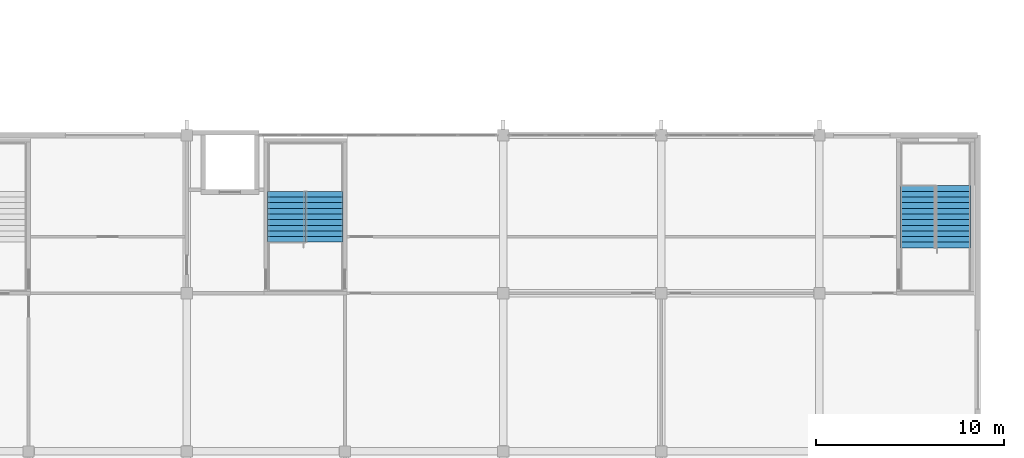
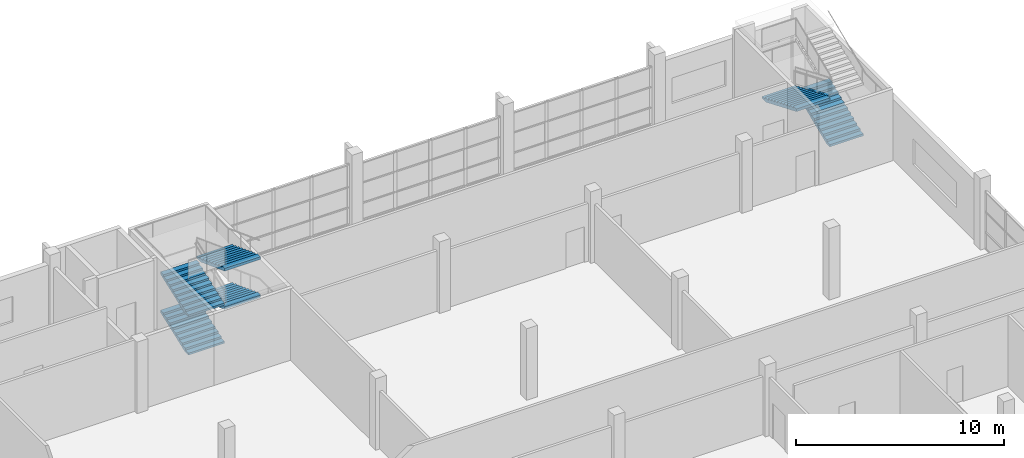
# One storey, part 41 of 56: 6 stair flights, 2 elements without a shape of their own.
"""IFC4 building model written with IfcOpenShell, lengths in metres."""

import ifcopenshell
import ifcopenshell.guid

model = None  # the IFC model being written
_history = None  # IfcOwnerHistory: only IFC2X3 demands one
_inside = {}  # id of a spatial element -> (the spatial element, [elements in it])
_under = {}  # id of a project, library or spatial element -> (it, [spatial elements below it])
_declared = {}  # id of a project -> (the project, [libraries it declares])
_typed = {}  # id of a type object -> (the type object, [elements of that type])
_made_of = {}  # id of a material, layer set ... -> (it, [elements and type objects made of it])


def new_model(schema):
    """Start an empty IFC model of exactly this schema.

    Asked for "IFC4X3", IfcOpenShell would pick the latest addendum, in which some entities
    have other attributes; the version numbers below select the first issue.
    IFC2X3 requires an IfcOwnerHistory on every rooted entity: one is made here for all.
    """
    global model, _history
    if schema == "IFC4X3":
        model = ifcopenshell.file(schema_version=(4, 3, 0, 0))
    else:
        model = ifcopenshell.file(schema=schema)
    _inside.clear()
    _under.clear()
    _declared.clear()
    _typed.clear()
    _made_of.clear()
    _history = None
    if model.schema == "IFC2X3":
        org = make("IfcOrganization", Name="unknown")
        user = make(
            "IfcPersonAndOrganization",
            ThePerson=make("IfcPerson", FamilyName="unknown"),
            TheOrganization=org,
        )
        app = make(
            "IfcApplication",
            ApplicationDeveloper=org,
            Version="unknown",
            ApplicationFullName="unknown",
            ApplicationIdentifier="unknown",
        )
        _history = make(
            "IfcOwnerHistory",
            OwningUser=user,
            OwningApplication=app,
            ChangeAction="ADDED",
            CreationDate=0,
        )
    return model


def make(cls, **values):
    """One entity of the class cls with the attributes given. An attribute that is None is left unset."""
    return model.create_entity(
        cls, **{name: value for name, value in values.items() if value is not None}
    )


def rooted(cls, **values):
    """An entity with a GlobalId (a new one), such as an element, a storey or a relation."""
    return make(cls, GlobalId=ifcopenshell.guid.new(), OwnerHistory=_history, **values)


def si_unit(unit_type, name, prefix=None):
    """IfcSIUnit, for example si_unit("LENGTHUNIT", "METRE", prefix="MILLI")."""
    return make("IfcSIUnit", UnitType=unit_type, Prefix=prefix, Name=name)


def assignment(units):
    """IfcUnitAssignment: the units of a project."""
    return None if units is None else make("IfcUnitAssignment", Units=units)


def point(xyz):
    """IfcCartesianPoint."""
    return None if xyz is None else make("IfcCartesianPoint", Coordinates=xyz)


def direction(xyz):
    """IfcDirection."""
    return None if xyz is None else make("IfcDirection", DirectionRatios=xyz)


def frame(location, z_axis=None, x_axis=None):
    """IfcAxis2Placement3D, a coordinate frame: its origin and axes. An axis left out is left unset."""
    return make(
        "IfcAxis2Placement3D",
        Location=point(location),
        Axis=direction(z_axis),
        RefDirection=direction(x_axis),
    )


def origin():
    """The frame at (0, 0, 0) with its axes left unset."""
    return frame((0.0, 0.0, 0.0))


def place(relative_to, where):
    """IfcLocalPlacement: puts the frame where relative to a parent placement (None: the world)."""
    return make(
        "IfcLocalPlacement", PlacementRelTo=relative_to, RelativePlacement=where
    )


def context(
    kind, dimensions, precision=None, world=None, true_north=None, identifier=None
):
    """IfcGeometricRepresentationContext, for example the 3D "Model" context."""
    return make(
        "IfcGeometricRepresentationContext",
        ContextIdentifier=identifier,
        ContextType=kind,
        CoordinateSpaceDimension=dimensions,
        Precision=precision,
        WorldCoordinateSystem=world,
        TrueNorth=true_north,
    )


def subcontext(parent, identifier, kind, view, scale=None):
    """IfcGeometricRepresentationSubContext, for example "Body" below "Model"."""
    return make(
        "IfcGeometricRepresentationSubContext",
        ContextIdentifier=identifier,
        ContextType=kind,
        ParentContext=parent,
        TargetScale=scale,
        TargetView=view,
    )


def project(units=None, contexts=None):
    """IfcProject with its units and contexts."""
    return rooted(
        "IfcProject",
        Name="project",
        RepresentationContexts=contexts,
        UnitsInContext=assignment(units),
    )


def spatial(cls, under=None, at=None, **own):
    """A site, building, storey or space (cls), placed at a placement, below another one or the project."""
    s = rooted(cls, ObjectPlacement=at, **own)
    if under is not None:
        _under.setdefault(under.id(), (under, []))[1].append(s)
    return s


def faces_of(points, faces, orient=None, outer=None):
    """IfcFace entities. A face is a list of loops; a loop is a list of indices into points, from 0.

    orient and outer hold one flag for each loop. By default every Orientation is true, the
    first loop of a face is its IfcFaceOuterBound and the others are IfcFaceBound.
    """
    made = []
    for i, loops in enumerate(faces):
        bounds = []
        for j, loop in enumerate(loops):
            is_outer = j == 0 if outer is None else outer[i][j]
            bounds.append(
                make(
                    "IfcFaceOuterBound" if is_outer else "IfcFaceBound",
                    Bound=make("IfcPolyLoop", Polygon=[points[k] for k in loop]),
                    Orientation=True if orient is None else orient[i][j],
                )
            )
        made.append(make("IfcFace", Bounds=bounds))
    return made


def faceted_brep(points, faces, orient=None, outer=None, voids=None):
    """IfcFacetedBrep: a solid bounded by flat faces; with voids (closed shells), ...WithVoids."""
    shared = [point(p) for p in points]
    hull = make("IfcClosedShell", CfsFaces=faces_of(shared, faces, orient, outer))
    if voids is None:
        return make("IfcFacetedBrep", Outer=hull)
    return make(
        "IfcFacetedBrepWithVoids",
        Outer=hull,
        Voids=[
            make(cls, CfsFaces=faces_of(shared, fs, o, b)) for cls, fs, o, b in voids
        ],
    )


def shape(context_of_items, identifier, shape_type, items):
    """IfcShapeRepresentation: the items that make up one representation, for example the "Body"."""
    return make(
        "IfcShapeRepresentation",
        ContextOfItems=context_of_items,
        RepresentationIdentifier=identifier,
        RepresentationType=shape_type,
        Items=items,
    )


def material(Name=None, Category=None):
    """IfcMaterial."""
    return make("IfcMaterial", Name=Name, Category=Category)


def made_of(thing, what):
    """Note that an element or type object is made of a material, layer set ...; save() writes the relation."""
    if what is not None:
        _made_of.setdefault(what.id(), (what, []))[1].append(thing)
    return thing


def type_object(cls, material=None, **own):
    """A type object (cls), such as IfcWallType, which elements share."""
    return made_of(rooted(cls, **own), material)


def element(
    cls,
    number,
    at=None,
    inside=None,
    cuts=None,
    type_object=None,
    material=None,
    context=None,
    identifier="Body",
    shape_type=None,
    held_by="IfcProductDefinitionShape",
    body=None,
    shapes=None,
    **own,
):
    """One element of the class cls, such as IfcWall. Its Tag is "e" and its number.

    at: its placement. inside: the storey or other place that contains it. cuts: it is an
    opening in that element (IfcRelVoidsElement). A single representation is given by context,
    identifier, shape_type and body (its items); several are given by shapes. held_by: the class
    of the entity that holds the representations. save() writes the other relations.
    """
    e = rooted(cls, Tag="e%d" % number, ObjectPlacement=at, **own)
    if body is not None:
        shapes = [shape(context, identifier, shape_type, body)]
    if shapes is not None:
        e.Representation = make(held_by, Representations=shapes)
    if inside is not None:
        _inside.setdefault(inside.id(), (inside, []))[1].append(e)
    if cuts is not None:
        rooted(
            "IfcRelVoidsElement", RelatingBuildingElement=cuts, RelatedOpeningElement=e
        )
    if type_object is not None:
        _typed.setdefault(type_object.id(), (type_object, []))[1].append(e)
    return made_of(e, material)


def aggregate(whole, parts):
    """IfcRelAggregates: a whole, such as a stair, and the parts it consists of."""
    return rooted("IfcRelAggregates", RelatingObject=whole, RelatedObjects=parts)


def save(model, path):
    """Write the relations noted so far, then the file.

    IfcRelAggregates (storeys below a building ...), IfcRelContainedInSpatialStructure (elements
    in a storey), IfcRelDefinesByType, IfcRelAssociatesMaterial and IfcRelDeclares: one each for
    every whole, place, type object, material and project.
    """
    for whole, parts in _under.values():
        aggregate(whole, parts)
    for where, things in _inside.values():
        rooted(
            "IfcRelContainedInSpatialStructure",
            RelatedElements=things,
            RelatingStructure=where,
        )
    for kind, things in _typed.values():
        rooted("IfcRelDefinesByType", RelatedObjects=things, RelatingType=kind)
    for what, things in _made_of.values():
        rooted("IfcRelAssociatesMaterial", RelatedObjects=things, RelatingMaterial=what)
    for by, libraries in _declared.values():
        rooted("IfcRelDeclares", RelatingContext=by, RelatedDefinitions=libraries)
    model.write(path)


model = new_model("IFC4")

# Units and contexts
model_context = context("Model", 3, precision=1e-05, world=origin(), true_north=direction((0.0, 1.0)))
body_context = subcontext(model_context, "Body", "Model", "MODEL_VIEW")
ifc_project = project(units=[si_unit("LENGTHUNIT", "METRE"), si_unit("AREAUNIT", "SQUARE_METRE"), si_unit("VOLUMEUNIT", "CUBIC_METRE"), si_unit("PLANEANGLEUNIT", "RADIAN"), si_unit("MASSUNIT", "GRAM", prefix="KILO")], contexts=[model_context])

# Site, building, storey
site_placement = place(None, origin())
site = spatial("IfcSite", under=ifc_project, at=site_placement, CompositionType="ELEMENT")
building_placement = place(site_placement, origin())
building = spatial("IfcBuilding", under=site, at=building_placement, Name="Rulbaag Community and Learning Centre", CompositionType="ELEMENT")
storey_placement = place(building_placement, frame((0.0, 0.0, 9.89990234375)))
storey = spatial("IfcBuildingStorey", under=building, at=storey_placement, Name="L02", CompositionType="ELEMENT", Elevation=9.89990234375)

# Stair, stair flights
ifc_material = material(Name="Concrete M40", Category="concrete")
stair_type_1 = type_object("IfcStairType", Name="ST-1862 STAIR 1862 WIDE", PredefinedType="HALF_TURN_STAIR", material=ifc_material)
stair_1_placement = place(storey_placement, origin())
stair_1 = element("IfcStair", 1, at=stair_1_placement, inside=storey, type_object=stair_type_1, Name="Stair ST-H4 L02", PredefinedType="HALF_TURN_STAIR")
stair_flight_type_1 = type_object("IfcStairFlightType", Name="FL-1862 FLIGHT 1862 WIDE Concrete M40", PredefinedType="STRAIGHT", material=ifc_material)
stair_flight_1_placement = place(storey_placement, frame((166.693603515625, 44.41259765625, 0.0), z_axis=(0.0, 0.0, 1.0), x_axis=(0.0, 1.0, 0.0)))
stair_flight_1 = element("IfcStairFlight", 2, at=stair_flight_1_placement, type_object=stair_flight_type_1, Name="ST-H4 flight 1", NumberOfRisers=12, NumberOfTreads=11, PredefinedType="STRAIGHT", RiserHeight=0.125, TreadLength=0.3, context=body_context, shape_type="Brep", body=[
    faceted_brep([(0.36376953125, -0.93115234375, 0.0), (3.300048828125, -0.93115234375, 1.223388671875), (3.300048828125, -0.93115234375, 1.375), (3.0, -0.93115234375, 1.375), (3.0, -0.93115234375, 1.25), (2.699951171875, -0.93115234375, 1.25), (2.699951171875, -0.93115234375, 1.125), (2.39990234375, -0.93115234375, 1.125), (2.39990234375, -0.93115234375, 1.0), (2.10009765625, -0.93115234375, 1.0), (2.10009765625, -0.93115234375, 0.875), (1.800048828125, -0.93115234375, 0.875), (1.800048828125, -0.93115234375, 0.75), (1.5, -0.93115234375, 0.75), (1.5, -0.93115234375, 0.625), (1.199951171875, -0.93115234375, 0.625), (1.199951171875, -0.93115234375, 0.5), (0.89990234375, -0.93115234375, 0.5), (0.89990234375, -0.93115234375, 0.375), (0.60009765625, -0.93115234375, 0.375), (0.60009765625, -0.93115234375, 0.25), (0.300048828125, -0.93115234375, 0.25), (0.300048828125, -0.93115234375, 0.125), (0.0, -0.93115234375, 0.125), (0.0, -0.93115234375, 0.0), (0.0, 0.93115234375, 0.0), (0.0, 0.93115234375, 0.125), (0.300048828125, 0.93115234375, 0.125), (0.300048828125, 0.93115234375, 0.25), (0.60009765625, 0.93115234375, 0.25), (0.60009765625, 0.93115234375, 0.375), (0.89990234375, 0.93115234375, 0.375), (0.89990234375, 0.93115234375, 0.5), (1.199951171875, 0.93115234375, 0.5), (1.199951171875, 0.93115234375, 0.625), (1.5, 0.93115234375, 0.625), (1.5, 0.93115234375, 0.75), (1.800048828125, 0.93115234375, 0.75), (1.800048828125, 0.93115234375, 0.875), (2.10009765625, 0.93115234375, 0.875), (2.10009765625, 0.93115234375, 1.0), (2.39990234375, 0.93115234375, 1.0), (2.39990234375, 0.93115234375, 1.125), (2.699951171875, 0.93115234375, 1.125), (2.699951171875, 0.93115234375, 1.25), (3.0, 0.93115234375, 1.25), (3.0, 0.93115234375, 1.375), (3.300048828125, 0.93115234375, 1.375), (3.300048828125, 0.93115234375, 1.223388671875), (0.36376953125, 0.93115234375, 0.0), (0.0, 0.0, 0.125), (0.0, 0.0, 0.0), (0.300048828125, 0.0, 0.125), (0.300048828125, 0.0, 0.25), (0.60009765625, 0.0, 0.25), (0.60009765625, 0.0, 0.375), (0.89990234375, 0.0, 0.375), (0.89990234375, 0.0, 0.5), (1.199951171875, 0.0, 0.5), (1.199951171875, 0.0, 0.625), (1.5, 0.0, 0.625), (1.5, 0.0, 0.75), (1.800048828125, 0.0, 0.75), (1.800048828125, 0.0, 0.875), (2.10009765625, 0.0, 0.875), (2.10009765625, 0.0, 1.0), (2.39990234375, 0.0, 1.0), (2.39990234375, 0.0, 1.125), (2.699951171875, 0.0, 1.125), (2.699951171875, 0.0, 1.25), (3.0, 0.0, 1.25), (3.0, 0.0, 1.375), (3.300048828125, 0.0, 1.375), (3.300048828125, 0.0, 1.223388671875), (0.36376953125, 0.0, 0.0)], [[[0, 1, 2, 3, 4, 5, 6, 7, 8, 9, 10, 11, 12, 13, 14, 15, 16, 17, 18, 19, 20, 21, 22, 23, 24]], [[25, 26, 27, 28, 29, 30, 31, 32, 33, 34, 35, 36, 37, 38, 39, 40, 41, 42, 43, 44, 45, 46, 47, 48, 49]], [[24, 23, 50, 51]], [[51, 50, 26, 25]], [[23, 22, 52, 50]], [[50, 52, 27, 26]], [[22, 21, 53, 52]], [[52, 53, 28, 27]], [[21, 20, 54, 53]], [[53, 54, 29, 28]], [[20, 19, 55, 54]], [[54, 55, 30, 29]], [[19, 18, 56, 55]], [[55, 56, 31, 30]], [[18, 17, 57, 56]], [[56, 57, 32, 31]], [[17, 16, 58, 57]], [[57, 58, 33, 32]], [[16, 15, 59, 58]], [[58, 59, 34, 33]], [[15, 14, 60, 59]], [[59, 60, 35, 34]], [[14, 13, 61, 60]], [[60, 61, 36, 35]], [[13, 12, 62, 61]], [[61, 62, 37, 36]], [[12, 11, 63, 62]], [[62, 63, 38, 37]], [[11, 10, 64, 63]], [[63, 64, 39, 38]], [[10, 9, 65, 64]], [[64, 65, 40, 39]], [[9, 8, 66, 65]], [[65, 66, 41, 40]], [[8, 7, 67, 66]], [[66, 67, 42, 41]], [[7, 6, 68, 67]], [[67, 68, 43, 42]], [[6, 5, 69, 68]], [[68, 69, 44, 43]], [[5, 4, 70, 69]], [[69, 70, 45, 44]], [[4, 3, 71, 70]], [[70, 71, 46, 45]], [[3, 2, 72, 71]], [[71, 72, 47, 46]], [[2, 1, 73, 72]], [[72, 73, 48, 47]], [[1, 0, 74, 73]], [[73, 74, 49, 48]], [[0, 24, 51, 74]], [[74, 51, 25, 49]]]),
])
stair_flight_2_placement = place(storey_placement, frame((164.831298828125, 47.71240234375, 1.5), z_axis=(0.0, 0.0, 1.0), x_axis=(0.0, -1.0, 0.0)))
stair_flight_2 = element("IfcStairFlight", 3, at=stair_flight_2_placement, type_object=stair_flight_type_1, Name="ST-H4 flight 2", NumberOfRisers=12, NumberOfTreads=11, PredefinedType="STRAIGHT", RiserHeight=0.125, TreadLength=0.3, context=body_context, shape_type="Brep", body=[
    faceted_brep([(0.36376953125, -0.93115234375, 0.0), (3.300048828125, -0.93115234375, 1.223388671875), (3.300048828125, -0.93115234375, 1.375), (3.0, -0.93115234375, 1.375), (3.0, -0.93115234375, 1.25), (2.699951171875, -0.93115234375, 1.25), (2.699951171875, -0.93115234375, 1.125), (2.39990234375, -0.93115234375, 1.125), (2.39990234375, -0.93115234375, 1.0), (2.10009765625, -0.93115234375, 1.0), (2.10009765625, -0.93115234375, 0.875), (1.800048828125, -0.93115234375, 0.875), (1.800048828125, -0.93115234375, 0.75), (1.5, -0.93115234375, 0.75), (1.5, -0.93115234375, 0.625), (1.199951171875, -0.93115234375, 0.625), (1.199951171875, -0.93115234375, 0.5), (0.89990234375, -0.93115234375, 0.5), (0.89990234375, -0.93115234375, 0.375), (0.60009765625, -0.93115234375, 0.375), (0.60009765625, -0.93115234375, 0.25), (0.300048828125, -0.93115234375, 0.25), (0.300048828125, -0.93115234375, 0.125), (0.0, -0.93115234375, 0.125), (0.0, -0.93115234375, 0.0), (0.0, 0.93115234375, 0.0), (0.0, 0.93115234375, 0.125), (0.300048828125, 0.93115234375, 0.125), (0.300048828125, 0.93115234375, 0.25), (0.60009765625, 0.93115234375, 0.25), (0.60009765625, 0.93115234375, 0.375), (0.89990234375, 0.93115234375, 0.375), (0.89990234375, 0.93115234375, 0.5), (1.199951171875, 0.93115234375, 0.5), (1.199951171875, 0.93115234375, 0.625), (1.5, 0.93115234375, 0.625), (1.5, 0.93115234375, 0.75), (1.800048828125, 0.93115234375, 0.75), (1.800048828125, 0.93115234375, 0.875), (2.10009765625, 0.93115234375, 0.875), (2.10009765625, 0.93115234375, 1.0), (2.39990234375, 0.93115234375, 1.0), (2.39990234375, 0.93115234375, 1.125), (2.699951171875, 0.93115234375, 1.125), (2.699951171875, 0.93115234375, 1.25), (3.0, 0.93115234375, 1.25), (3.0, 0.93115234375, 1.375), (3.300048828125, 0.93115234375, 1.375), (3.300048828125, 0.93115234375, 1.223388671875), (0.36376953125, 0.93115234375, 0.0), (0.0, 0.0, 0.125), (0.0, 0.0, 0.0), (0.300048828125, 0.0, 0.125), (0.300048828125, 0.0, 0.25), (0.60009765625, 0.0, 0.25), (0.60009765625, 0.0, 0.375), (0.89990234375, 0.0, 0.375), (0.89990234375, 0.0, 0.5), (1.199951171875, 0.0, 0.5), (1.199951171875, 0.0, 0.625), (1.5, 0.0, 0.625), (1.5, 0.0, 0.75), (1.800048828125, 0.0, 0.75), (1.800048828125, 0.0, 0.875), (2.10009765625, 0.0, 0.875), (2.10009765625, 0.0, 1.0), (2.39990234375, 0.0, 1.0), (2.39990234375, 0.0, 1.125), (2.699951171875, 0.0, 1.125), (2.699951171875, 0.0, 1.25), (3.0, 0.0, 1.25), (3.0, 0.0, 1.375), (3.300048828125, 0.0, 1.375), (3.300048828125, 0.0, 1.223388671875), (0.36376953125, 0.0, 0.0)], [[[0, 1, 2, 3, 4, 5, 6, 7, 8, 9, 10, 11, 12, 13, 14, 15, 16, 17, 18, 19, 20, 21, 22, 23, 24]], [[25, 26, 27, 28, 29, 30, 31, 32, 33, 34, 35, 36, 37, 38, 39, 40, 41, 42, 43, 44, 45, 46, 47, 48, 49]], [[24, 23, 50, 51]], [[51, 50, 26, 25]], [[23, 22, 52, 50]], [[50, 52, 27, 26]], [[22, 21, 53, 52]], [[52, 53, 28, 27]], [[21, 20, 54, 53]], [[53, 54, 29, 28]], [[20, 19, 55, 54]], [[54, 55, 30, 29]], [[19, 18, 56, 55]], [[55, 56, 31, 30]], [[18, 17, 57, 56]], [[56, 57, 32, 31]], [[17, 16, 58, 57]], [[57, 58, 33, 32]], [[16, 15, 59, 58]], [[58, 59, 34, 33]], [[15, 14, 60, 59]], [[59, 60, 35, 34]], [[14, 13, 61, 60]], [[60, 61, 36, 35]], [[13, 12, 62, 61]], [[61, 62, 37, 36]], [[12, 11, 63, 62]], [[62, 63, 38, 37]], [[11, 10, 64, 63]], [[63, 64, 39, 38]], [[10, 9, 65, 64]], [[64, 65, 40, 39]], [[9, 8, 66, 65]], [[65, 66, 41, 40]], [[8, 7, 67, 66]], [[66, 67, 42, 41]], [[7, 6, 68, 67]], [[67, 68, 43, 42]], [[6, 5, 69, 68]], [[68, 69, 44, 43]], [[5, 4, 70, 69]], [[69, 70, 45, 44]], [[4, 3, 71, 70]], [[70, 71, 46, 45]], [[3, 2, 72, 71]], [[71, 72, 47, 46]], [[2, 1, 73, 72]], [[72, 73, 48, 47]], [[1, 0, 74, 73]], [[73, 74, 49, 48]], [[0, 24, 51, 74]], [[74, 51, 25, 49]]]),
])
aggregate(stair_1, [stair_flight_1, stair_flight_2])

stair_type_2 = type_object("IfcStairType", Name="ST-2000 STAIR 2000 WIDE", PredefinedType="HALF_TURN_STAIR", material=ifc_material)
stair_2_placement = place(storey_placement, origin())
stair_2 = element("IfcStair", 4, at=stair_2_placement, inside=storey, type_object=stair_type_2, Name="Stair ST-H3 L02", PredefinedType="HALF_TURN_STAIR")
stair_flight_type_2 = type_object("IfcStairFlightType", Name="FL-2000 FLIGHT 2000 WIDE Concrete M40", PredefinedType="STRAIGHT", material=ifc_material)
stair_flight_3_placement = place(storey_placement, frame((131.300048828125, 44.71240234375, 0.0), z_axis=(0.0, 0.0, 1.0), x_axis=(0.0, 1.0, 0.0)))
stair_flight_3 = element("IfcStairFlight", 5, at=stair_flight_3_placement, type_object=stair_flight_type_2, Name="ST-H3 flight 1", NumberOfRisers=10, NumberOfTreads=9, PredefinedType="STRAIGHT", RiserHeight=0.1125, TreadLength=0.3, context=body_context, shape_type="Brep", body=[
    faceted_brep([(0.3984375, -1.0, 0.0), (2.699951171875, -1.0, 0.863037109375), (2.699951171875, -1.0, 1.012451171875), (2.39990234375, -1.0, 1.012451171875), (2.39990234375, -1.0, 0.89990234375), (2.10009765625, -1.0, 0.89990234375), (2.10009765625, -1.0, 0.78759765625), (1.800048828125, -1.0, 0.78759765625), (1.800048828125, -1.0, 0.675048828125), (1.5, -1.0, 0.675048828125), (1.5, -1.0, 0.5625), (1.199951171875, -1.0, 0.5625), (1.199951171875, -1.0, 0.449951171875), (0.89990234375, -1.0, 0.449951171875), (0.89990234375, -1.0, 0.33740234375), (0.60009765625, -1.0, 0.33740234375), (0.60009765625, -1.0, 0.22509765625), (0.300048828125, -1.0, 0.22509765625), (0.300048828125, -1.0, 0.112548828125), (0.0, -1.0, 0.112548828125), (0.0, -1.0, 0.0), (0.0, 1.0, 0.0), (0.0, 1.0, 0.112548828125), (0.300048828125, 1.0, 0.112548828125), (0.300048828125, 1.0, 0.22509765625), (0.60009765625, 1.0, 0.22509765625), (0.60009765625, 1.0, 0.33740234375), (0.89990234375, 1.0, 0.33740234375), (0.89990234375, 1.0, 0.449951171875), (1.199951171875, 1.0, 0.449951171875), (1.199951171875, 1.0, 0.5625), (1.5, 1.0, 0.5625), (1.5, 1.0, 0.675048828125), (1.800048828125, 1.0, 0.675048828125), (1.800048828125, 1.0, 0.78759765625), (2.10009765625, 1.0, 0.78759765625), (2.10009765625, 1.0, 0.89990234375), (2.39990234375, 1.0, 0.89990234375), (2.39990234375, 1.0, 1.012451171875), (2.699951171875, 1.0, 1.012451171875), (2.699951171875, 1.0, 0.863037109375), (0.3984375, 1.0, 0.0), (0.0, -0.333251953125, 0.112548828125), (0.0, -0.333251953125, 0.0), (0.0, 0.333251953125, 0.112548828125), (0.0, 0.333251953125, 0.0), (0.300048828125, -0.333251953125, 0.112548828125), (0.300048828125, 0.333251953125, 0.112548828125), (0.300048828125, -0.333251953125, 0.22509765625), (0.300048828125, 0.333251953125, 0.22509765625), (0.60009765625, -0.333251953125, 0.22509765625), (0.60009765625, 0.333251953125, 0.22509765625), (0.60009765625, -0.333251953125, 0.33740234375), (0.60009765625, 0.333251953125, 0.33740234375), (0.89990234375, -0.333251953125, 0.33740234375), (0.89990234375, 0.333251953125, 0.33740234375), (0.89990234375, -0.333251953125, 0.449951171875), (0.89990234375, 0.333251953125, 0.449951171875), (1.199951171875, -0.333251953125, 0.449951171875), (1.199951171875, 0.333251953125, 0.449951171875), (1.199951171875, -0.333251953125, 0.5625), (1.199951171875, 0.333251953125, 0.5625), (1.5, -0.333251953125, 0.5625), (1.5, 0.333251953125, 0.5625), (1.5, -0.333251953125, 0.675048828125), (1.5, 0.333251953125, 0.675048828125), (1.800048828125, -0.333251953125, 0.675048828125), (1.800048828125, 0.333251953125, 0.675048828125), (1.800048828125, -0.333251953125, 0.78759765625), (1.800048828125, 0.333251953125, 0.78759765625), (2.10009765625, -0.333251953125, 0.78759765625), (2.10009765625, 0.333251953125, 0.78759765625), (2.10009765625, -0.333251953125, 0.89990234375), (2.10009765625, 0.333251953125, 0.89990234375), (2.39990234375, -0.333251953125, 0.89990234375), (2.39990234375, 0.333251953125, 0.89990234375), (2.39990234375, -0.333251953125, 1.012451171875), (2.39990234375, 0.333251953125, 1.012451171875), (2.699951171875, -0.333251953125, 1.012451171875), (2.699951171875, 0.333251953125, 1.012451171875), (2.699951171875, -0.333251953125, 0.863037109375), (2.699951171875, 0.333251953125, 0.863037109375), (0.3984375, -0.333251953125, 0.0), (0.3984375, 0.333251953125, 0.0)], [[[0, 1, 2, 3, 4, 5, 6, 7, 8, 9, 10, 11, 12, 13, 14, 15, 16, 17, 18, 19, 20]], [[21, 22, 23, 24, 25, 26, 27, 28, 29, 30, 31, 32, 33, 34, 35, 36, 37, 38, 39, 40, 41]], [[20, 19, 42, 43]], [[43, 42, 44, 45]], [[45, 44, 22, 21]], [[19, 18, 46, 42]], [[42, 46, 47, 44]], [[44, 47, 23, 22]], [[18, 17, 48, 46]], [[46, 48, 49, 47]], [[47, 49, 24, 23]], [[17, 16, 50, 48]], [[48, 50, 51, 49]], [[49, 51, 25, 24]], [[16, 15, 52, 50]], [[50, 52, 53, 51]], [[51, 53, 26, 25]], [[15, 14, 54, 52]], [[52, 54, 55, 53]], [[53, 55, 27, 26]], [[14, 13, 56, 54]], [[54, 56, 57, 55]], [[55, 57, 28, 27]], [[13, 12, 58, 56]], [[56, 58, 59, 57]], [[57, 59, 29, 28]], [[12, 11, 60, 58]], [[58, 60, 61, 59]], [[59, 61, 30, 29]], [[11, 10, 62, 60]], [[60, 62, 63, 61]], [[61, 63, 31, 30]], [[10, 9, 64, 62]], [[62, 64, 65, 63]], [[63, 65, 32, 31]], [[9, 8, 66, 64]], [[64, 66, 67, 65]], [[65, 67, 33, 32]], [[8, 7, 68, 66]], [[66, 68, 69, 67]], [[67, 69, 34, 33]], [[7, 6, 70, 68]], [[68, 70, 71, 69]], [[69, 71, 35, 34]], [[6, 5, 72, 70]], [[70, 72, 73, 71]], [[71, 73, 36, 35]], [[5, 4, 74, 72]], [[72, 74, 75, 73]], [[73, 75, 37, 36]], [[4, 3, 76, 74]], [[74, 76, 77, 75]], [[75, 77, 38, 37]], [[3, 2, 78, 76]], [[76, 78, 79, 77]], [[77, 79, 39, 38]], [[2, 1, 80, 78]], [[78, 80, 81, 79]], [[79, 81, 40, 39]], [[1, 0, 82, 80]], [[80, 82, 83, 81]], [[81, 83, 41, 40]], [[0, 20, 43, 82]], [[82, 43, 45, 83]], [[83, 45, 21, 41]]]),
])
stair_flight_4_placement = place(storey_placement, frame((133.300048828125, 47.41259765625, 1.125), z_axis=(0.0, 0.0, 1.0), x_axis=(0.0, -1.0, 0.0)))
stair_flight_4 = element("IfcStairFlight", 6, at=stair_flight_4_placement, type_object=stair_flight_type_2, Name="ST-H3 flight 2", NumberOfRisers=10, NumberOfTreads=9, PredefinedType="STRAIGHT", RiserHeight=0.1125, TreadLength=0.3, context=body_context, shape_type="Brep", body=[
    faceted_brep([(0.3984375, -1.0, 0.0), (2.699951171875, -1.0, 0.863037109375), (2.699951171875, -1.0, 1.012451171875), (2.39990234375, -1.0, 1.012451171875), (2.39990234375, -1.0, 0.89990234375), (2.10009765625, -1.0, 0.89990234375), (2.10009765625, -1.0, 0.78759765625), (1.800048828125, -1.0, 0.78759765625), (1.800048828125, -1.0, 0.675048828125), (1.5, -1.0, 0.675048828125), (1.5, -1.0, 0.5625), (1.199951171875, -1.0, 0.5625), (1.199951171875, -1.0, 0.449951171875), (0.89990234375, -1.0, 0.449951171875), (0.89990234375, -1.0, 0.33740234375), (0.60009765625, -1.0, 0.33740234375), (0.60009765625, -1.0, 0.22509765625), (0.300048828125, -1.0, 0.22509765625), (0.300048828125, -1.0, 0.112548828125), (0.0, -1.0, 0.112548828125), (0.0, -1.0, 0.0), (0.0, 1.0, 0.0), (0.0, 1.0, 0.112548828125), (0.300048828125, 1.0, 0.112548828125), (0.300048828125, 1.0, 0.22509765625), (0.60009765625, 1.0, 0.22509765625), (0.60009765625, 1.0, 0.33740234375), (0.89990234375, 1.0, 0.33740234375), (0.89990234375, 1.0, 0.449951171875), (1.199951171875, 1.0, 0.449951171875), (1.199951171875, 1.0, 0.5625), (1.5, 1.0, 0.5625), (1.5, 1.0, 0.675048828125), (1.800048828125, 1.0, 0.675048828125), (1.800048828125, 1.0, 0.78759765625), (2.10009765625, 1.0, 0.78759765625), (2.10009765625, 1.0, 0.89990234375), (2.39990234375, 1.0, 0.89990234375), (2.39990234375, 1.0, 1.012451171875), (2.699951171875, 1.0, 1.012451171875), (2.699951171875, 1.0, 0.863037109375), (0.3984375, 1.0, 0.0), (0.0, -0.333251953125, 0.112548828125), (0.0, -0.333251953125, 0.0), (0.0, 0.333251953125, 0.112548828125), (0.0, 0.333251953125, 0.0), (0.300048828125, -0.333251953125, 0.112548828125), (0.300048828125, 0.333251953125, 0.112548828125), (0.300048828125, -0.333251953125, 0.22509765625), (0.300048828125, 0.333251953125, 0.22509765625), (0.60009765625, -0.333251953125, 0.22509765625), (0.60009765625, 0.333251953125, 0.22509765625), (0.60009765625, -0.333251953125, 0.33740234375), (0.60009765625, 0.333251953125, 0.33740234375), (0.89990234375, -0.333251953125, 0.33740234375), (0.89990234375, 0.333251953125, 0.33740234375), (0.89990234375, -0.333251953125, 0.449951171875), (0.89990234375, 0.333251953125, 0.449951171875), (1.199951171875, -0.333251953125, 0.449951171875), (1.199951171875, 0.333251953125, 0.449951171875), (1.199951171875, -0.333251953125, 0.5625), (1.199951171875, 0.333251953125, 0.5625), (1.5, -0.333251953125, 0.5625), (1.5, 0.333251953125, 0.5625), (1.5, -0.333251953125, 0.675048828125), (1.5, 0.333251953125, 0.675048828125), (1.800048828125, -0.333251953125, 0.675048828125), (1.800048828125, 0.333251953125, 0.675048828125), (1.800048828125, -0.333251953125, 0.78759765625), (1.800048828125, 0.333251953125, 0.78759765625), (2.10009765625, -0.333251953125, 0.78759765625), (2.10009765625, 0.333251953125, 0.78759765625), (2.10009765625, -0.333251953125, 0.89990234375), (2.10009765625, 0.333251953125, 0.89990234375), (2.39990234375, -0.333251953125, 0.89990234375), (2.39990234375, 0.333251953125, 0.89990234375), (2.39990234375, -0.333251953125, 1.012451171875), (2.39990234375, 0.333251953125, 1.012451171875), (2.699951171875, -0.333251953125, 1.012451171875), (2.699951171875, 0.333251953125, 1.012451171875), (2.699951171875, -0.333251953125, 0.863037109375), (2.699951171875, 0.333251953125, 0.863037109375), (0.3984375, -0.333251953125, 0.0), (0.3984375, 0.333251953125, 0.0)], [[[0, 1, 2, 3, 4, 5, 6, 7, 8, 9, 10, 11, 12, 13, 14, 15, 16, 17, 18, 19, 20]], [[21, 22, 23, 24, 25, 26, 27, 28, 29, 30, 31, 32, 33, 34, 35, 36, 37, 38, 39, 40, 41]], [[20, 19, 42, 43]], [[43, 42, 44, 45]], [[45, 44, 22, 21]], [[19, 18, 46, 42]], [[42, 46, 47, 44]], [[44, 47, 23, 22]], [[18, 17, 48, 46]], [[46, 48, 49, 47]], [[47, 49, 24, 23]], [[17, 16, 50, 48]], [[48, 50, 51, 49]], [[49, 51, 25, 24]], [[16, 15, 52, 50]], [[50, 52, 53, 51]], [[51, 53, 26, 25]], [[15, 14, 54, 52]], [[52, 54, 55, 53]], [[53, 55, 27, 26]], [[14, 13, 56, 54]], [[54, 56, 57, 55]], [[55, 57, 28, 27]], [[13, 12, 58, 56]], [[56, 58, 59, 57]], [[57, 59, 29, 28]], [[12, 11, 60, 58]], [[58, 60, 61, 59]], [[59, 61, 30, 29]], [[11, 10, 62, 60]], [[60, 62, 63, 61]], [[61, 63, 31, 30]], [[10, 9, 64, 62]], [[62, 64, 65, 63]], [[63, 65, 32, 31]], [[9, 8, 66, 64]], [[64, 66, 67, 65]], [[65, 67, 33, 32]], [[8, 7, 68, 66]], [[66, 68, 69, 67]], [[67, 69, 34, 33]], [[7, 6, 70, 68]], [[68, 70, 71, 69]], [[69, 71, 35, 34]], [[6, 5, 72, 70]], [[70, 72, 73, 71]], [[71, 73, 36, 35]], [[5, 4, 74, 72]], [[72, 74, 75, 73]], [[73, 75, 37, 36]], [[4, 3, 76, 74]], [[74, 76, 77, 75]], [[75, 77, 38, 37]], [[3, 2, 78, 76]], [[76, 78, 79, 77]], [[77, 79, 39, 38]], [[2, 1, 80, 78]], [[78, 80, 81, 79]], [[79, 81, 40, 39]], [[1, 0, 82, 80]], [[80, 82, 83, 81]], [[81, 83, 41, 40]], [[0, 20, 43, 82]], [[82, 43, 45, 83]], [[83, 45, 21, 41]]]),
])
stair_flight_5_placement = place(storey_placement, frame((131.300048828125, 44.71240234375, 2.25), z_axis=(0.0, 0.0, 1.0), x_axis=(0.0, 1.0, 0.0)))
stair_flight_5 = element("IfcStairFlight", 7, at=stair_flight_5_placement, type_object=stair_flight_type_2, Name="ST-H3 flight 3", NumberOfRisers=10, NumberOfTreads=9, PredefinedType="STRAIGHT", RiserHeight=0.1125, TreadLength=0.3, context=body_context, shape_type="Brep", body=[
    faceted_brep([(0.3984375, -1.0, 0.0), (2.699951171875, -1.0, 0.863037109375), (2.699951171875, -1.0, 1.012451171875), (2.39990234375, -1.0, 1.012451171875), (2.39990234375, -1.0, 0.89990234375), (2.10009765625, -1.0, 0.89990234375), (2.10009765625, -1.0, 0.78759765625), (1.800048828125, -1.0, 0.78759765625), (1.800048828125, -1.0, 0.675048828125), (1.5, -1.0, 0.675048828125), (1.5, -1.0, 0.5625), (1.199951171875, -1.0, 0.5625), (1.199951171875, -1.0, 0.449951171875), (0.89990234375, -1.0, 0.449951171875), (0.89990234375, -1.0, 0.33740234375), (0.60009765625, -1.0, 0.33740234375), (0.60009765625, -1.0, 0.22509765625), (0.300048828125, -1.0, 0.22509765625), (0.300048828125, -1.0, 0.112548828125), (0.0, -1.0, 0.112548828125), (0.0, -1.0, 0.0), (0.0, 1.0, 0.0), (0.0, 1.0, 0.112548828125), (0.300048828125, 1.0, 0.112548828125), (0.300048828125, 1.0, 0.22509765625), (0.60009765625, 1.0, 0.22509765625), (0.60009765625, 1.0, 0.33740234375), (0.89990234375, 1.0, 0.33740234375), (0.89990234375, 1.0, 0.449951171875), (1.199951171875, 1.0, 0.449951171875), (1.199951171875, 1.0, 0.5625), (1.5, 1.0, 0.5625), (1.5, 1.0, 0.675048828125), (1.800048828125, 1.0, 0.675048828125), (1.800048828125, 1.0, 0.78759765625), (2.10009765625, 1.0, 0.78759765625), (2.10009765625, 1.0, 0.89990234375), (2.39990234375, 1.0, 0.89990234375), (2.39990234375, 1.0, 1.012451171875), (2.699951171875, 1.0, 1.012451171875), (2.699951171875, 1.0, 0.863037109375), (0.3984375, 1.0, 0.0), (0.0, -0.333251953125, 0.112548828125), (0.0, -0.333251953125, 0.0), (0.0, 0.333251953125, 0.112548828125), (0.0, 0.333251953125, 0.0), (0.300048828125, -0.333251953125, 0.112548828125), (0.300048828125, 0.333251953125, 0.112548828125), (0.300048828125, -0.333251953125, 0.22509765625), (0.300048828125, 0.333251953125, 0.22509765625), (0.60009765625, -0.333251953125, 0.22509765625), (0.60009765625, 0.333251953125, 0.22509765625), (0.60009765625, -0.333251953125, 0.33740234375), (0.60009765625, 0.333251953125, 0.33740234375), (0.89990234375, -0.333251953125, 0.33740234375), (0.89990234375, 0.333251953125, 0.33740234375), (0.89990234375, -0.333251953125, 0.449951171875), (0.89990234375, 0.333251953125, 0.449951171875), (1.199951171875, -0.333251953125, 0.449951171875), (1.199951171875, 0.333251953125, 0.449951171875), (1.199951171875, -0.333251953125, 0.5625), (1.199951171875, 0.333251953125, 0.5625), (1.5, -0.333251953125, 0.5625), (1.5, 0.333251953125, 0.5625), (1.5, -0.333251953125, 0.675048828125), (1.5, 0.333251953125, 0.675048828125), (1.800048828125, -0.333251953125, 0.675048828125), (1.800048828125, 0.333251953125, 0.675048828125), (1.800048828125, -0.333251953125, 0.78759765625), (1.800048828125, 0.333251953125, 0.78759765625), (2.10009765625, -0.333251953125, 0.78759765625), (2.10009765625, 0.333251953125, 0.78759765625), (2.10009765625, -0.333251953125, 0.89990234375), (2.10009765625, 0.333251953125, 0.89990234375), (2.39990234375, -0.333251953125, 0.89990234375), (2.39990234375, 0.333251953125, 0.89990234375), (2.39990234375, -0.333251953125, 1.012451171875), (2.39990234375, 0.333251953125, 1.012451171875), (2.699951171875, -0.333251953125, 1.012451171875), (2.699951171875, 0.333251953125, 1.012451171875), (2.699951171875, -0.333251953125, 0.863037109375), (2.699951171875, 0.333251953125, 0.863037109375), (0.3984375, -0.333251953125, 0.0), (0.3984375, 0.333251953125, 0.0)], [[[0, 1, 2, 3, 4, 5, 6, 7, 8, 9, 10, 11, 12, 13, 14, 15, 16, 17, 18, 19, 20]], [[21, 22, 23, 24, 25, 26, 27, 28, 29, 30, 31, 32, 33, 34, 35, 36, 37, 38, 39, 40, 41]], [[20, 19, 42, 43]], [[43, 42, 44, 45]], [[45, 44, 22, 21]], [[19, 18, 46, 42]], [[42, 46, 47, 44]], [[44, 47, 23, 22]], [[18, 17, 48, 46]], [[46, 48, 49, 47]], [[47, 49, 24, 23]], [[17, 16, 50, 48]], [[48, 50, 51, 49]], [[49, 51, 25, 24]], [[16, 15, 52, 50]], [[50, 52, 53, 51]], [[51, 53, 26, 25]], [[15, 14, 54, 52]], [[52, 54, 55, 53]], [[53, 55, 27, 26]], [[14, 13, 56, 54]], [[54, 56, 57, 55]], [[55, 57, 28, 27]], [[13, 12, 58, 56]], [[56, 58, 59, 57]], [[57, 59, 29, 28]], [[12, 11, 60, 58]], [[58, 60, 61, 59]], [[59, 61, 30, 29]], [[11, 10, 62, 60]], [[60, 62, 63, 61]], [[61, 63, 31, 30]], [[10, 9, 64, 62]], [[62, 64, 65, 63]], [[63, 65, 32, 31]], [[9, 8, 66, 64]], [[64, 66, 67, 65]], [[65, 67, 33, 32]], [[8, 7, 68, 66]], [[66, 68, 69, 67]], [[67, 69, 34, 33]], [[7, 6, 70, 68]], [[68, 70, 71, 69]], [[69, 71, 35, 34]], [[6, 5, 72, 70]], [[70, 72, 73, 71]], [[71, 73, 36, 35]], [[5, 4, 74, 72]], [[72, 74, 75, 73]], [[73, 75, 37, 36]], [[4, 3, 76, 74]], [[74, 76, 77, 75]], [[75, 77, 38, 37]], [[3, 2, 78, 76]], [[76, 78, 79, 77]], [[77, 79, 39, 38]], [[2, 1, 80, 78]], [[78, 80, 81, 79]], [[79, 81, 40, 39]], [[1, 0, 82, 80]], [[80, 82, 83, 81]], [[81, 83, 41, 40]], [[0, 20, 43, 82]], [[82, 43, 45, 83]], [[83, 45, 21, 41]]]),
])
stair_flight_6_placement = place(storey_placement, frame((133.300048828125, 47.41259765625, 3.375), z_axis=(0.0, 0.0, 1.0), x_axis=(0.0, -1.0, 0.0)))
stair_flight_6 = element("IfcStairFlight", 8, at=stair_flight_6_placement, type_object=stair_flight_type_2, Name="ST-H3 flight 4", NumberOfRisers=10, NumberOfTreads=9, PredefinedType="STRAIGHT", RiserHeight=0.1125, TreadLength=0.3, context=body_context, shape_type="Brep", body=[
    faceted_brep([(0.3984375, -1.0, 0.0), (2.699951171875, -1.0, 0.863037109375), (2.699951171875, -1.0, 1.012451171875), (2.39990234375, -1.0, 1.012451171875), (2.39990234375, -1.0, 0.89990234375), (2.10009765625, -1.0, 0.89990234375), (2.10009765625, -1.0, 0.78759765625), (1.800048828125, -1.0, 0.78759765625), (1.800048828125, -1.0, 0.675048828125), (1.5, -1.0, 0.675048828125), (1.5, -1.0, 0.5625), (1.199951171875, -1.0, 0.5625), (1.199951171875, -1.0, 0.449951171875), (0.89990234375, -1.0, 0.449951171875), (0.89990234375, -1.0, 0.33740234375), (0.60009765625, -1.0, 0.33740234375), (0.60009765625, -1.0, 0.22509765625), (0.300048828125, -1.0, 0.22509765625), (0.300048828125, -1.0, 0.112548828125), (0.0, -1.0, 0.112548828125), (0.0, -1.0, 0.0), (0.0, 1.0, 0.0), (0.0, 1.0, 0.112548828125), (0.300048828125, 1.0, 0.112548828125), (0.300048828125, 1.0, 0.22509765625), (0.60009765625, 1.0, 0.22509765625), (0.60009765625, 1.0, 0.33740234375), (0.89990234375, 1.0, 0.33740234375), (0.89990234375, 1.0, 0.449951171875), (1.199951171875, 1.0, 0.449951171875), (1.199951171875, 1.0, 0.5625), (1.5, 1.0, 0.5625), (1.5, 1.0, 0.675048828125), (1.800048828125, 1.0, 0.675048828125), (1.800048828125, 1.0, 0.78759765625), (2.10009765625, 1.0, 0.78759765625), (2.10009765625, 1.0, 0.89990234375), (2.39990234375, 1.0, 0.89990234375), (2.39990234375, 1.0, 1.012451171875), (2.699951171875, 1.0, 1.012451171875), (2.699951171875, 1.0, 0.863037109375), (0.3984375, 1.0, 0.0), (0.0, -0.333251953125, 0.112548828125), (0.0, -0.333251953125, 0.0), (0.0, 0.333251953125, 0.112548828125), (0.0, 0.333251953125, 0.0), (0.300048828125, -0.333251953125, 0.112548828125), (0.300048828125, 0.333251953125, 0.112548828125), (0.300048828125, -0.333251953125, 0.22509765625), (0.300048828125, 0.333251953125, 0.22509765625), (0.60009765625, -0.333251953125, 0.22509765625), (0.60009765625, 0.333251953125, 0.22509765625), (0.60009765625, -0.333251953125, 0.33740234375), (0.60009765625, 0.333251953125, 0.33740234375), (0.89990234375, -0.333251953125, 0.33740234375), (0.89990234375, 0.333251953125, 0.33740234375), (0.89990234375, -0.333251953125, 0.449951171875), (0.89990234375, 0.333251953125, 0.449951171875), (1.199951171875, -0.333251953125, 0.449951171875), (1.199951171875, 0.333251953125, 0.449951171875), (1.199951171875, -0.333251953125, 0.5625), (1.199951171875, 0.333251953125, 0.5625), (1.5, -0.333251953125, 0.5625), (1.5, 0.333251953125, 0.5625), (1.5, -0.333251953125, 0.675048828125), (1.5, 0.333251953125, 0.675048828125), (1.800048828125, -0.333251953125, 0.675048828125), (1.800048828125, 0.333251953125, 0.675048828125), (1.800048828125, -0.333251953125, 0.78759765625), (1.800048828125, 0.333251953125, 0.78759765625), (2.10009765625, -0.333251953125, 0.78759765625), (2.10009765625, 0.333251953125, 0.78759765625), (2.10009765625, -0.333251953125, 0.89990234375), (2.10009765625, 0.333251953125, 0.89990234375), (2.39990234375, -0.333251953125, 0.89990234375), (2.39990234375, 0.333251953125, 0.89990234375), (2.39990234375, -0.333251953125, 1.012451171875), (2.39990234375, 0.333251953125, 1.012451171875), (2.699951171875, -0.333251953125, 1.012451171875), (2.699951171875, 0.333251953125, 1.012451171875), (2.699951171875, -0.333251953125, 0.863037109375), (2.699951171875, 0.333251953125, 0.863037109375), (0.3984375, -0.333251953125, 0.0), (0.3984375, 0.333251953125, 0.0)], [[[0, 1, 2, 3, 4, 5, 6, 7, 8, 9, 10, 11, 12, 13, 14, 15, 16, 17, 18, 19, 20]], [[21, 22, 23, 24, 25, 26, 27, 28, 29, 30, 31, 32, 33, 34, 35, 36, 37, 38, 39, 40, 41]], [[20, 19, 42, 43]], [[43, 42, 44, 45]], [[45, 44, 22, 21]], [[19, 18, 46, 42]], [[42, 46, 47, 44]], [[44, 47, 23, 22]], [[18, 17, 48, 46]], [[46, 48, 49, 47]], [[47, 49, 24, 23]], [[17, 16, 50, 48]], [[48, 50, 51, 49]], [[49, 51, 25, 24]], [[16, 15, 52, 50]], [[50, 52, 53, 51]], [[51, 53, 26, 25]], [[15, 14, 54, 52]], [[52, 54, 55, 53]], [[53, 55, 27, 26]], [[14, 13, 56, 54]], [[54, 56, 57, 55]], [[55, 57, 28, 27]], [[13, 12, 58, 56]], [[56, 58, 59, 57]], [[57, 59, 29, 28]], [[12, 11, 60, 58]], [[58, 60, 61, 59]], [[59, 61, 30, 29]], [[11, 10, 62, 60]], [[60, 62, 63, 61]], [[61, 63, 31, 30]], [[10, 9, 64, 62]], [[62, 64, 65, 63]], [[63, 65, 32, 31]], [[9, 8, 66, 64]], [[64, 66, 67, 65]], [[65, 67, 33, 32]], [[8, 7, 68, 66]], [[66, 68, 69, 67]], [[67, 69, 34, 33]], [[7, 6, 70, 68]], [[68, 70, 71, 69]], [[69, 71, 35, 34]], [[6, 5, 72, 70]], [[70, 72, 73, 71]], [[71, 73, 36, 35]], [[5, 4, 74, 72]], [[72, 74, 75, 73]], [[73, 75, 37, 36]], [[4, 3, 76, 74]], [[74, 76, 77, 75]], [[75, 77, 38, 37]], [[3, 2, 78, 76]], [[76, 78, 79, 77]], [[77, 79, 39, 38]], [[2, 1, 80, 78]], [[78, 80, 81, 79]], [[79, 81, 40, 39]], [[1, 0, 82, 80]], [[80, 82, 83, 81]], [[81, 83, 41, 40]], [[0, 20, 43, 82]], [[82, 43, 45, 83]], [[83, 45, 21, 41]]]),
])
aggregate(stair_2, [stair_flight_3, stair_flight_4, stair_flight_5, stair_flight_6])

save(model, "model.ifc")
